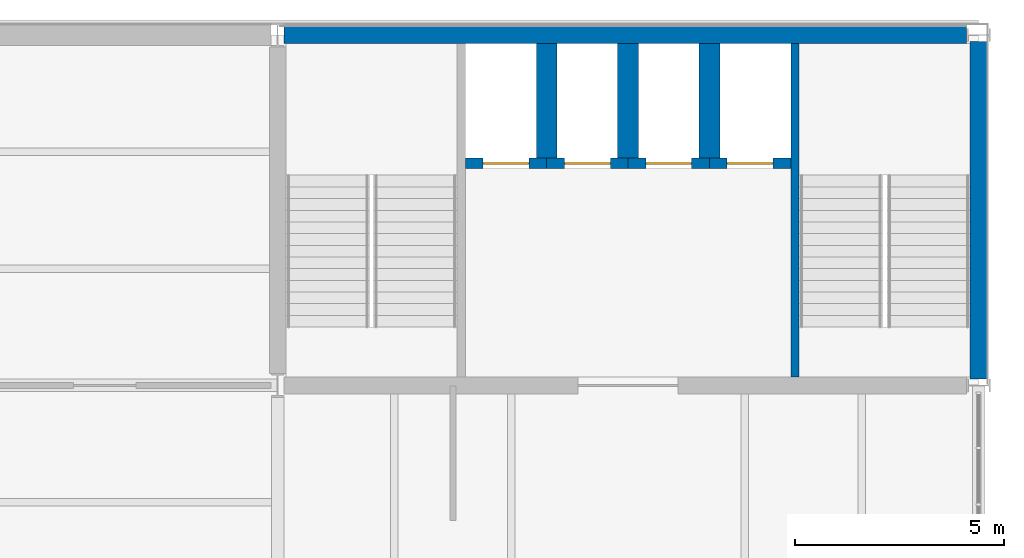
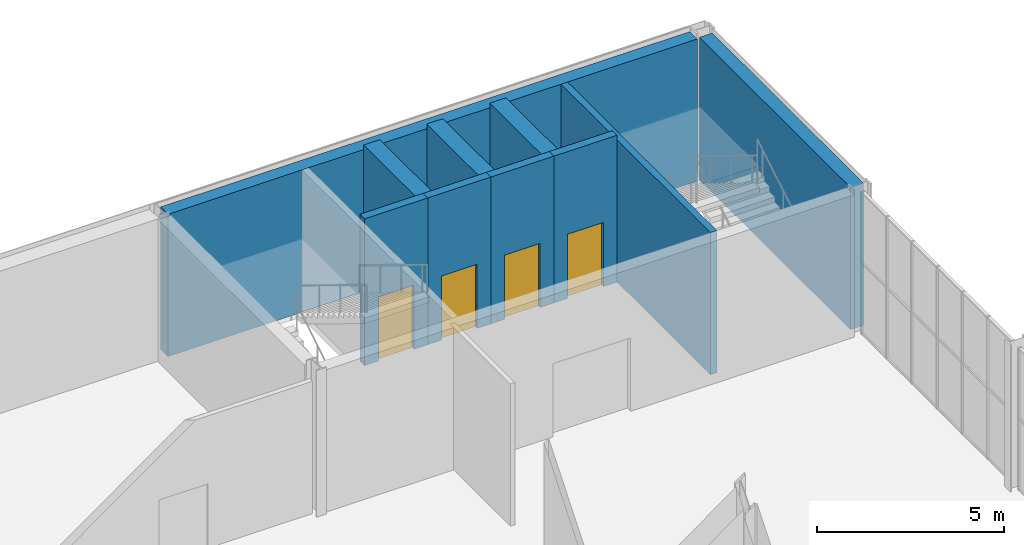
# One storey, part 41 of 61: 10 walls, 4 doors, 4 openings.
"""IFC4 building model written with IfcOpenShell, lengths in metres."""

from ifc_helpers import new_model, si_unit, direction, frame, frame_2d, origin, place, context, subcontext, project, spatial, rectangle, extrude, material, layer, layer_set, type_object, element, fill, save


model = new_model("IFC4")

# Units and contexts
model_context = context("Model", 3, precision=1e-05, world=origin(), true_north=direction((0.0, 1.0)))
body_context = subcontext(model_context, "Body", "Model", "MODEL_VIEW")
ifc_project = project(units=[si_unit("LENGTHUNIT", "METRE"), si_unit("AREAUNIT", "SQUARE_METRE"), si_unit("VOLUMEUNIT", "CUBIC_METRE"), si_unit("PLANEANGLEUNIT", "RADIAN"), si_unit("MASSUNIT", "GRAM", prefix="KILO")], contexts=[model_context])

# Site, building, storey
site_placement = place(None, origin())
site = spatial("IfcSite", under=ifc_project, at=site_placement, CompositionType="ELEMENT")
building_placement = place(site_placement, origin())
building = spatial("IfcBuilding", under=site, at=building_placement, Name="Galleria Vessillo Department Store", CompositionType="ELEMENT")
storey_placement = place(building_placement, frame((0.0, 0.0, 11.39990234375)))
storey = spatial("IfcBuildingStorey", under=building, at=storey_placement, Name="L02", CompositionType="ELEMENT", Elevation=11.39990234375)

# Walls
ifc_material_1 = material(Name="Solid clay block masonry", Category="masonry")
ifc_layer_1 = layer(ifc_material_1, 0.5)
ifc_layer_set_1 = layer_set([ifc_layer_1], Name="Solid clay block masonry")
wall_type_1 = type_object("IfcWallType", Name="Lift shaft partition wall 500 mm", PredefinedType="SOLIDWALL", material=ifc_layer_set_1)
for number, where, z_axis, x_axis, name in (
    (1, (107.25, 62.800048828125, 0.0), (0.0, 0.0, 1.0), (0.0, -1.0, 0.0), "Lift shaft partition wall T1 L02"),
    (2, (109.199951171875, 62.800048828125, 0.0), (0.0, 0.0, 1.0), (0.0, -1.0, 0.0), "Lift shaft partition wall T2 L02"),
    (3, (111.14990234375, 62.800048828125, 0.0), (0.0, 0.0, 1.0), (0.0, -1.0, 0.0), "Lift shaft partition wall T3 L02"),
):
    element("IfcWall", number, at=place(storey_placement, frame(where, z_axis=z_axis, x_axis=x_axis)), inside=storey, type_object=wall_type_1, Name=name, PredefinedType="SOLIDWALL", context=body_context, shape_type="SweptSolid", body=[
        extrude(rectangle(XDim=2.75, YDim=0.5, at=frame_2d((1.375, 0.0))), origin(), (0.0, 0.0, 1.0), 4.800048828125),
    ])

# Wall, opening, door
ifc_material_2 = material(Name="Solid clay block masonry", Category="masonry")
ifc_layer_2 = layer(ifc_material_2, 0.25)
ifc_layer_set_2 = layer_set([ifc_layer_2], Name="Solid clay block masonry")
wall_type_2 = type_object("IfcWallType", Name="Lift shaft wall 250 mm", PredefinedType="SOLIDWALL", material=ifc_layer_set_2)
wall_1_placement = place(storey_placement, frame((105.300048828125, 59.925048828125, 0.0), z_axis=(0.0, 0.0, 1.0), x_axis=(1.0, 0.0, 0.0)))
wall_1 = element("IfcWall", 4, at=wall_1_placement, inside=storey, type_object=wall_type_2, Name="Lift shaft wall T1 landing side L02", PredefinedType="SOLIDWALL", context=body_context, shape_type="SweptSolid", body=[
    extrude(rectangle(XDim=1.949951171875, YDim=0.25, at=frame_2d((0.97509765625, 0.0))), origin(), (0.0, 0.0, 1.0), 4.800048828125),
])
opening_1_placement = place(wall_1_placement, frame((0.4248046875, 0.0, 0.0)))
opening_1 = element("IfcOpeningElement", 5, at=opening_1_placement, cuts=wall_1, Name="Opening LD081", PredefinedType="OPENING", context=body_context, shape_type="SweptSolid", body=[
    extrude(rectangle(XDim=1.10009765625, YDim=2.10009765625, at=frame_2d((0.550048828125, 1.050048828125))), frame((0.0, 0.135009765625, 0.0), z_axis=(0.0, -1.0, 0.0), x_axis=(1.0, 0.0, 0.0)), (0.0, 0.0, 1.0), 0.27001953125),
])
ifc_material_3 = material(Name="Stainless steel lift door panel", Category="steel")
door_type = type_object("IfcDoorType", Name="Lift landing door LD110 sliding 1100 x 2100", OperationType="SLIDING_TO_LEFT", PredefinedType="DOOR", material=ifc_material_3)
door_1_placement = place(opening_1_placement, frame((1.10009765625, 0.0, 0.0), z_axis=(0.0, 0.0, 1.0), x_axis=(-1.0, 0.0, 0.0)))
door_1 = element("IfcDoor", 6, at=door_1_placement, inside=storey, type_object=door_type, Name="Lift landing door T1 L02", OperationType="SLIDING_TO_RIGHT", OverallHeight=2.10009765625, OverallWidth=1.10009765625, PredefinedType="DOOR", context=body_context, shape_type="SweptSolid", body=[
    extrude(rectangle(XDim=1.10009765625, YDim=2.10009765625, at=frame_2d((0.550048828125, 1.050048828125))), frame((0.0, 0.02490234375, 0.0), z_axis=(0.0, -1.0, 0.0), x_axis=(1.0, 0.0, 0.0)), (0.0, 0.0, 1.0), 0.050048828125),
])
fill(opening_1, door_1)

wall_2_placement = place(storey_placement, frame((107.25, 59.925048828125, 0.0), z_axis=(0.0, 0.0, 1.0), x_axis=(1.0, 0.0, 0.0)))
wall_2 = element("IfcWall", 7, at=wall_2_placement, inside=storey, type_object=wall_type_2, Name="Lift shaft wall T2 landing side L02", PredefinedType="SOLIDWALL", context=body_context, shape_type="SweptSolid", body=[
    extrude(rectangle(XDim=1.949951171875, YDim=0.25, at=frame_2d((0.97509765625, 0.0))), origin(), (0.0, 0.0, 1.0), 4.800048828125),
])
opening_2_placement = place(wall_2_placement, frame((0.425048828125, 0.0, 0.0)))
opening_2 = element("IfcOpeningElement", 8, at=opening_2_placement, cuts=wall_2, Name="Opening LD082", PredefinedType="OPENING", context=body_context, shape_type="SweptSolid", body=[
    extrude(rectangle(XDim=1.10009765625, YDim=2.10009765625, at=frame_2d((0.550048828125, 1.050048828125))), frame((0.0, 0.135009765625, 0.0), z_axis=(0.0, -1.0, 0.0), x_axis=(1.0, 0.0, 0.0)), (0.0, 0.0, 1.0), 0.27001953125),
])
door_2_placement = place(opening_2_placement, frame((1.10009765625, 0.0, 0.0), z_axis=(0.0, 0.0, 1.0), x_axis=(-1.0, 0.0, 0.0)))
door_2 = element("IfcDoor", 9, at=door_2_placement, inside=storey, type_object=door_type, Name="Lift landing door T2 L02", OperationType="SLIDING_TO_RIGHT", OverallHeight=2.10009765625, OverallWidth=1.10009765625, PredefinedType="DOOR", context=body_context, shape_type="SweptSolid", body=[
    extrude(rectangle(XDim=1.10009765625, YDim=2.10009765625, at=frame_2d((0.550048828125, 1.050048828125))), frame((0.0, 0.02490234375, 0.0), z_axis=(0.0, -1.0, 0.0), x_axis=(1.0, 0.0, 0.0)), (0.0, 0.0, 1.0), 0.050048828125),
])
fill(opening_2, door_2)

wall_3_placement = place(storey_placement, frame((109.199951171875, 59.925048828125, 0.0), z_axis=(0.0, 0.0, 1.0), x_axis=(1.0, 0.0, 0.0)))
wall_3 = element("IfcWall", 10, at=wall_3_placement, inside=storey, type_object=wall_type_2, Name="Lift shaft wall T3 landing side L02", PredefinedType="SOLIDWALL", context=body_context, shape_type="SweptSolid", body=[
    extrude(rectangle(XDim=1.949951171875, YDim=0.25, at=frame_2d((0.97509765625, 0.0))), origin(), (0.0, 0.0, 1.0), 4.800048828125),
])
opening_3_placement = place(wall_3_placement, frame((0.425048828125, 0.0, 0.0)))
opening_3 = element("IfcOpeningElement", 11, at=opening_3_placement, cuts=wall_3, Name="Opening LD083", PredefinedType="OPENING", context=body_context, shape_type="SweptSolid", body=[
    extrude(rectangle(XDim=1.10009765625, YDim=2.10009765625, at=frame_2d((0.550048828125, 1.050048828125))), frame((0.0, 0.135009765625, 0.0), z_axis=(0.0, -1.0, 0.0), x_axis=(1.0, 0.0, 0.0)), (0.0, 0.0, 1.0), 0.27001953125),
])
door_3_placement = place(opening_3_placement, frame((1.10009765625, 0.0, 0.0), z_axis=(0.0, 0.0, 1.0), x_axis=(-1.0, 0.0, 0.0)))
door_3 = element("IfcDoor", 12, at=door_3_placement, inside=storey, type_object=door_type, Name="Lift landing door T3 L02", OperationType="SLIDING_TO_RIGHT", OverallHeight=2.10009765625, OverallWidth=1.10009765625, PredefinedType="DOOR", context=body_context, shape_type="SweptSolid", body=[
    extrude(rectangle(XDim=1.10009765625, YDim=2.10009765625, at=frame_2d((0.550048828125, 1.050048828125))), frame((0.0, 0.02490234375, 0.0), z_axis=(0.0, -1.0, 0.0), x_axis=(1.0, 0.0, 0.0)), (0.0, 0.0, 1.0), 0.050048828125),
])
fill(opening_3, door_3)

wall_4_placement = place(storey_placement, frame((111.14990234375, 59.925048828125, 0.0), z_axis=(0.0, 0.0, 1.0), x_axis=(1.0, 0.0, 0.0)))
wall_4 = element("IfcWall", 13, at=wall_4_placement, inside=storey, type_object=wall_type_2, Name="Lift shaft wall T4 landing side L02", PredefinedType="SOLIDWALL", context=body_context, shape_type="SweptSolid", body=[
    extrude(rectangle(XDim=1.9501953125, YDim=0.25, at=frame_2d((0.97509765625, 0.0))), origin(), (0.0, 0.0, 1.0), 4.800048828125),
])
opening_4_placement = place(wall_4_placement, frame((0.425048828125, 0.0, 0.0)))
opening_4 = element("IfcOpeningElement", 14, at=opening_4_placement, cuts=wall_4, Name="Opening LD084", PredefinedType="OPENING", context=body_context, shape_type="SweptSolid", body=[
    extrude(rectangle(XDim=1.10009765625, YDim=2.10009765625, at=frame_2d((0.550048828125, 1.050048828125))), frame((0.0, 0.135009765625, 0.0), z_axis=(0.0, -1.0, 0.0), x_axis=(1.0, 0.0, 0.0)), (0.0, 0.0, 1.0), 0.27001953125),
])
door_4_placement = place(opening_4_placement, frame((1.10009765625, 0.0, 0.0), z_axis=(0.0, 0.0, 1.0), x_axis=(-1.0, 0.0, 0.0)))
door_4 = element("IfcDoor", 15, at=door_4_placement, inside=storey, type_object=door_type, Name="Lift landing door T4 L02", OperationType="SLIDING_TO_LEFT", OverallHeight=2.10009765625, OverallWidth=1.10009765625, PredefinedType="DOOR", context=body_context, shape_type="SweptSolid", body=[
    extrude(rectangle(XDim=1.10009765625, YDim=2.10009765625, at=frame_2d((0.550048828125, 1.050048828125))), frame((0.0, 0.02490234375, 0.0), z_axis=(0.0, -1.0, 0.0), x_axis=(1.0, 0.0, 0.0)), (0.0, 0.0, 1.0), 0.050048828125),
])
fill(opening_4, door_4)

# Walls
ifc_material_4 = material(Name="Concrete C32/40 reinforced", Category="concrete")
ifc_layer_3 = layer(ifc_material_4, 0.39990234375)
ifc_layer_set_3 = layer_set([ifc_layer_3], Name="Concrete C32/40 reinforced")
wall_type_3 = type_object("IfcWallType", Name="Reinforced concrete core wall 400 mm, external", PredefinedType="SHEAR", material=ifc_layer_set_3)
wall_5_placement = place(storey_placement, frame((100.953125, 63.0, 0.0), z_axis=(0.0, 0.0, 1.0), x_axis=(1.0, 0.0, 0.0)))
element("IfcWall", 16, at=wall_5_placement, inside=storey, type_object=wall_type_3, Name="S-CW-TC-PARTY-L02", PredefinedType="SHEAR", context=body_context, shape_type="SweptSolid", body=[
    extrude(rectangle(XDim=16.361083984375, YDim=0.39990234375, at=frame_2d((8.1806640625, 0.0))), origin(), (0.0, 0.0, 1.0), 4.650146484375),
])
wall_6_placement = place(storey_placement, frame((117.60009765625, 54.753173828125, 0.0), z_axis=(0.0, 0.0, 1.0), x_axis=(0.0, 1.0, 0.0)))
element("IfcWall", 17, at=wall_6_placement, inside=storey, type_object=wall_type_3, Name="S-CW-TC-EAST-L02", PredefinedType="SHEAR", context=body_context, shape_type="SweptSolid", body=[
    extrude(rectangle(XDim=8.09375, YDim=0.39990234375, at=frame_2d((4.046875, 0.0))), origin(), (0.0, 0.0, 1.0), 4.650146484375),
])
ifc_material_5 = material(Name="Concrete C32/40 reinforced", Category="concrete")
ifc_layer_4 = layer(ifc_material_5, 0.199951171875)
ifc_layer_set_4 = layer_set([ifc_layer_4], Name="Concrete C32/40 reinforced")
wall_type_4 = type_object("IfcWallType", Name="Reinforced concrete stair enclosure wall 200 mm", PredefinedType="SHEAR", material=ifc_layer_set_4)
wall_7_placement = place(storey_placement, frame((113.199951171875, 62.800048828125, 0.0), z_axis=(0.0, 0.0, 1.0), x_axis=(0.0, -1.0, 0.0)))
element("IfcWall", 18, at=wall_7_placement, inside=storey, type_object=wall_type_4, Name="Stair enclosure wall TC L02", PredefinedType="SHEAR", context=body_context, shape_type="SweptSolid", body=[
    extrude(rectangle(XDim=8.0, YDim=0.199951171875, at=frame_2d((4.0, 0.0))), origin(), (0.0, 0.0, 1.0), 4.650146484375),
])

save(model, "model.ifc")
